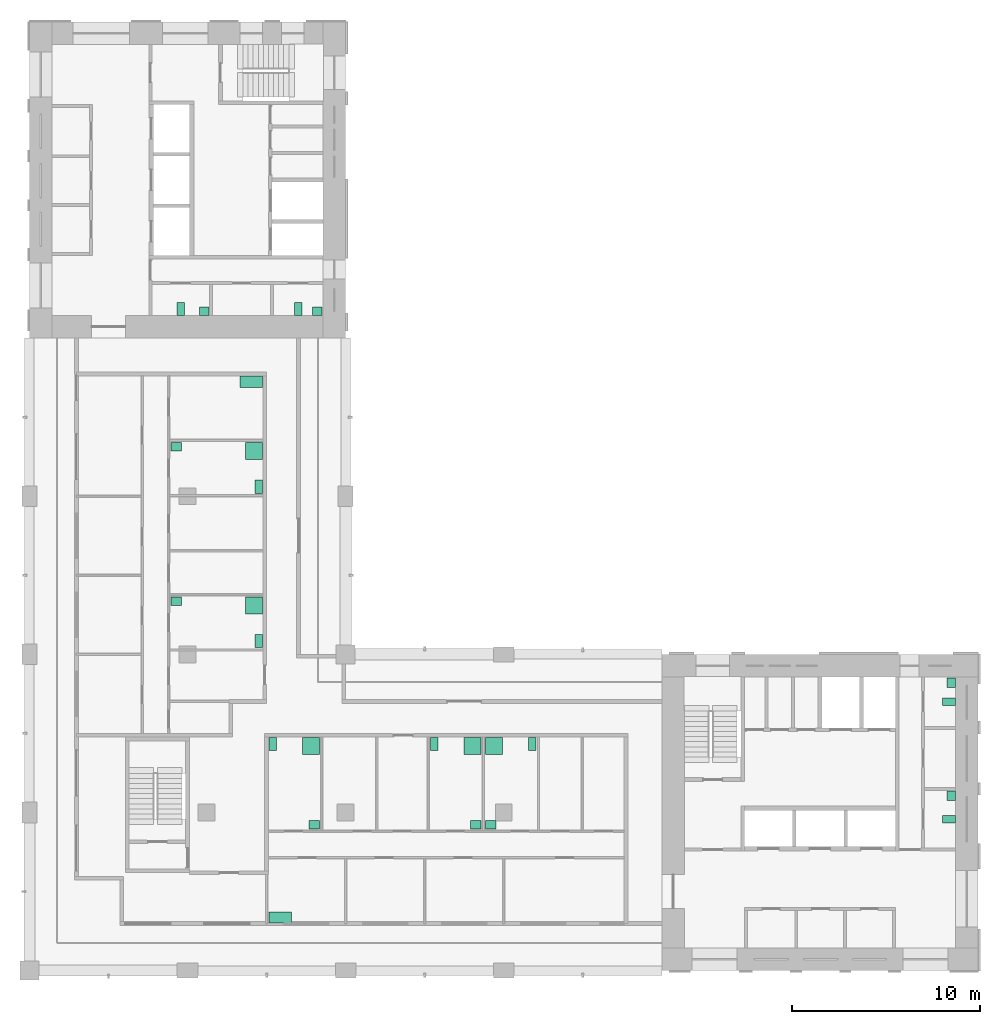
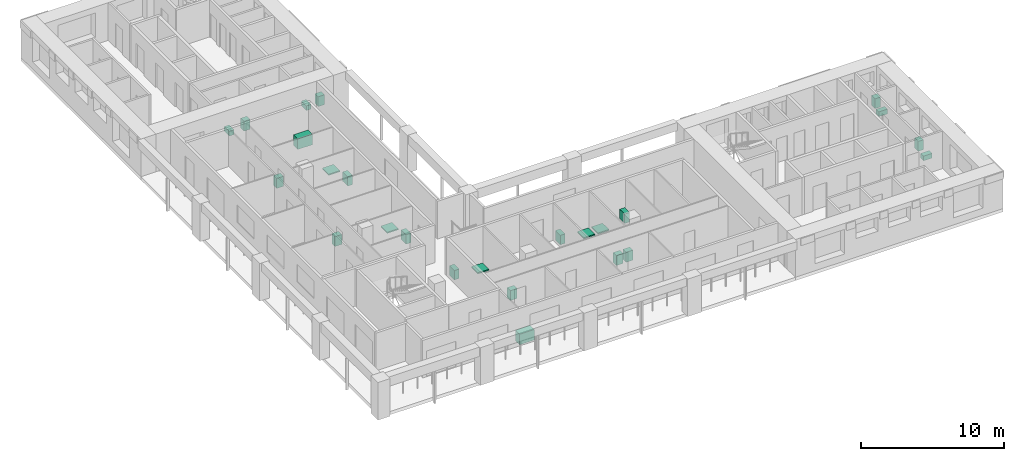
# One storey, part 10 of 10: 25 sanitary terminals.
"""IFC4 building model written with IfcOpenShell, lengths in metres."""

import ifcopenshell
import ifcopenshell.guid

model = None  # the IFC model being written
_history = None  # IfcOwnerHistory: only IFC2X3 demands one
_inside = {}  # id of a spatial element -> (the spatial element, [elements in it])
_under = {}  # id of a project, library or spatial element -> (it, [spatial elements below it])
_declared = {}  # id of a project -> (the project, [libraries it declares])
_typed = {}  # id of a type object -> (the type object, [elements of that type])
_made_of = {}  # id of a material, layer set ... -> (it, [elements and type objects made of it])


def new_model(schema):
    """Start an empty IFC model of exactly this schema.

    Asked for "IFC4X3", IfcOpenShell would pick the latest addendum, in which some entities
    have other attributes; the version numbers below select the first issue.
    IFC2X3 requires an IfcOwnerHistory on every rooted entity: one is made here for all.
    """
    global model, _history
    if schema == "IFC4X3":
        model = ifcopenshell.file(schema_version=(4, 3, 0, 0))
    else:
        model = ifcopenshell.file(schema=schema)
    _inside.clear()
    _under.clear()
    _declared.clear()
    _typed.clear()
    _made_of.clear()
    _history = None
    if model.schema == "IFC2X3":
        org = make("IfcOrganization", Name="unknown")
        user = make(
            "IfcPersonAndOrganization",
            ThePerson=make("IfcPerson", FamilyName="unknown"),
            TheOrganization=org,
        )
        app = make(
            "IfcApplication",
            ApplicationDeveloper=org,
            Version="unknown",
            ApplicationFullName="unknown",
            ApplicationIdentifier="unknown",
        )
        _history = make(
            "IfcOwnerHistory",
            OwningUser=user,
            OwningApplication=app,
            ChangeAction="ADDED",
            CreationDate=0,
        )
    return model


def make(cls, **values):
    """One entity of the class cls with the attributes given. An attribute that is None is left unset."""
    return model.create_entity(
        cls, **{name: value for name, value in values.items() if value is not None}
    )


def rooted(cls, **values):
    """An entity with a GlobalId (a new one), such as an element, a storey or a relation."""
    return make(cls, GlobalId=ifcopenshell.guid.new(), OwnerHistory=_history, **values)


def si_unit(unit_type, name, prefix=None):
    """IfcSIUnit, for example si_unit("LENGTHUNIT", "METRE", prefix="MILLI")."""
    return make("IfcSIUnit", UnitType=unit_type, Prefix=prefix, Name=name)


def assignment(units):
    """IfcUnitAssignment: the units of a project."""
    return None if units is None else make("IfcUnitAssignment", Units=units)


def point(xyz):
    """IfcCartesianPoint."""
    return None if xyz is None else make("IfcCartesianPoint", Coordinates=xyz)


def direction(xyz):
    """IfcDirection."""
    return None if xyz is None else make("IfcDirection", DirectionRatios=xyz)


def frame(location, z_axis=None, x_axis=None):
    """IfcAxis2Placement3D, a coordinate frame: its origin and axes. An axis left out is left unset."""
    return make(
        "IfcAxis2Placement3D",
        Location=point(location),
        Axis=direction(z_axis),
        RefDirection=direction(x_axis),
    )


def frame_2d(location, x_axis=None):
    """IfcAxis2Placement2D, a coordinate frame in the plane: its origin and x axis."""
    return make(
        "IfcAxis2Placement2D", Location=point(location), RefDirection=direction(x_axis)
    )


def origin():
    """The frame at (0, 0, 0) with its axes left unset."""
    return frame((0.0, 0.0, 0.0))


def origin_2d():
    """The frame at (0, 0) in the plane with its x axis left unset."""
    return frame_2d((0.0, 0.0))


def place(relative_to, where):
    """IfcLocalPlacement: puts the frame where relative to a parent placement (None: the world)."""
    return make(
        "IfcLocalPlacement", PlacementRelTo=relative_to, RelativePlacement=where
    )


def context(
    kind, dimensions, precision=None, world=None, true_north=None, identifier=None
):
    """IfcGeometricRepresentationContext, for example the 3D "Model" context."""
    return make(
        "IfcGeometricRepresentationContext",
        ContextIdentifier=identifier,
        ContextType=kind,
        CoordinateSpaceDimension=dimensions,
        Precision=precision,
        WorldCoordinateSystem=world,
        TrueNorth=true_north,
    )


def subcontext(parent, identifier, kind, view, scale=None):
    """IfcGeometricRepresentationSubContext, for example "Body" below "Model"."""
    return make(
        "IfcGeometricRepresentationSubContext",
        ContextIdentifier=identifier,
        ContextType=kind,
        ParentContext=parent,
        TargetScale=scale,
        TargetView=view,
    )


def project(units=None, contexts=None):
    """IfcProject with its units and contexts."""
    return rooted(
        "IfcProject",
        Name="project",
        RepresentationContexts=contexts,
        UnitsInContext=assignment(units),
    )


def spatial(cls, under=None, at=None, **own):
    """A site, building, storey or space (cls), placed at a placement, below another one or the project."""
    s = rooted(cls, ObjectPlacement=at, **own)
    if under is not None:
        _under.setdefault(under.id(), (under, []))[1].append(s)
    return s


def profile(cls, at=None, kind="AREA", **sizes):
    """A parametric profile (cls). Its sizes go by their IFC names, for example OverallWidth=200.0."""
    return make(cls, ProfileType=kind, Position=at, **sizes)


def rectangle(**sizes):
    """IfcRectangleProfileDef."""
    return profile("IfcRectangleProfileDef", **sizes)


def extrude(swept, where, along, depth):
    """IfcExtrudedAreaSolid: the profile swept, set in the frame where, extruded along a direction by depth."""
    return make(
        "IfcExtrudedAreaSolid",
        SweptArea=swept,
        Position=where,
        ExtrudedDirection=direction(along),
        Depth=depth,
    )


def shape(context_of_items, identifier, shape_type, items):
    """IfcShapeRepresentation: the items that make up one representation, for example the "Body"."""
    return make(
        "IfcShapeRepresentation",
        ContextOfItems=context_of_items,
        RepresentationIdentifier=identifier,
        RepresentationType=shape_type,
        Items=items,
    )


def material(Name=None, Category=None):
    """IfcMaterial."""
    return make("IfcMaterial", Name=Name, Category=Category)


def made_of(thing, what):
    """Note that an element or type object is made of a material, layer set ...; save() writes the relation."""
    if what is not None:
        _made_of.setdefault(what.id(), (what, []))[1].append(thing)
    return thing


def element(
    cls,
    number,
    at=None,
    inside=None,
    cuts=None,
    type_object=None,
    material=None,
    context=None,
    identifier="Body",
    shape_type=None,
    held_by="IfcProductDefinitionShape",
    body=None,
    shapes=None,
    **own,
):
    """One element of the class cls, such as IfcWall. Its Tag is "e" and its number.

    at: its placement. inside: the storey or other place that contains it. cuts: it is an
    opening in that element (IfcRelVoidsElement). A single representation is given by context,
    identifier, shape_type and body (its items); several are given by shapes. held_by: the class
    of the entity that holds the representations. save() writes the other relations.
    """
    e = rooted(cls, Tag="e%d" % number, ObjectPlacement=at, **own)
    if body is not None:
        shapes = [shape(context, identifier, shape_type, body)]
    if shapes is not None:
        e.Representation = make(held_by, Representations=shapes)
    if inside is not None:
        _inside.setdefault(inside.id(), (inside, []))[1].append(e)
    if cuts is not None:
        rooted(
            "IfcRelVoidsElement", RelatingBuildingElement=cuts, RelatedOpeningElement=e
        )
    if type_object is not None:
        _typed.setdefault(type_object.id(), (type_object, []))[1].append(e)
    return made_of(e, material)


def aggregate(whole, parts):
    """IfcRelAggregates: a whole, such as a stair, and the parts it consists of."""
    return rooted("IfcRelAggregates", RelatingObject=whole, RelatedObjects=parts)


def save(model, path):
    """Write the relations noted so far, then the file.

    IfcRelAggregates (storeys below a building ...), IfcRelContainedInSpatialStructure (elements
    in a storey), IfcRelDefinesByType, IfcRelAssociatesMaterial and IfcRelDeclares: one each for
    every whole, place, type object, material and project.
    """
    for whole, parts in _under.values():
        aggregate(whole, parts)
    for where, things in _inside.values():
        rooted(
            "IfcRelContainedInSpatialStructure",
            RelatedElements=things,
            RelatingStructure=where,
        )
    for kind, things in _typed.values():
        rooted("IfcRelDefinesByType", RelatedObjects=things, RelatingType=kind)
    for what, things in _made_of.values():
        rooted("IfcRelAssociatesMaterial", RelatedObjects=things, RelatingMaterial=what)
    for by, libraries in _declared.values():
        rooted("IfcRelDeclares", RelatingContext=by, RelatedDefinitions=libraries)
    model.write(path)


model = new_model("IFC4")

# Units and contexts
model_context = context("Model", 3, precision=1e-05, world=origin(), true_north=direction((0.0, 1.0)))
body_context = subcontext(model_context, "Body", "Model", "MODEL_VIEW")
ifc_project = project(units=[si_unit("LENGTHUNIT", "METRE"), si_unit("AREAUNIT", "SQUARE_METRE"), si_unit("VOLUMEUNIT", "CUBIC_METRE"), si_unit("PLANEANGLEUNIT", "RADIAN"), si_unit("MASSUNIT", "GRAM", prefix="KILO")], contexts=[model_context])

# Site, building, storey
site_placement = place(None, origin())
site = spatial("IfcSite", under=ifc_project, at=site_placement, CompositionType="ELEMENT")
building_placement = place(site_placement, origin())
building = spatial("IfcBuilding", under=site, at=building_placement, Name="Vermilion Gate Residences", CompositionType="ELEMENT")
storey_placement = place(building_placement, frame((0.0, 0.0, 266.699951171875)))
storey = spatial("IfcBuildingStorey", under=building, at=storey_placement, Name="L70", CompositionType="ELEMENT", Elevation=266.699951171875)

# Sanitary terminals
ifc_material_1 = material(Name="Vitreous china")
sanitary_terminal_1_placement = place(storey_placement, frame((57.25, 16.43994140625, 0.0), z_axis=(0.0, 0.0, 1.0), x_axis=(1.0, 0.0, 0.0)))
element("IfcSanitaryTerminal", 1, at=sanitary_terminal_1_placement, inside=storey, material=ifc_material_1, Name="Toilet pan A70", PredefinedType="TOILETPAN", context=body_context, shape_type="SweptSolid", body=[
    extrude(rectangle(XDim=0.699951171875, YDim=0.39990234375, at=origin_2d()), origin(), (0.0, 0.0, 1.0), 0.39990234375),
])
sanitary_terminal_2_placement = place(storey_placement, frame((57.375, 17.679931640625, 0.0), z_axis=(0.0, 0.0, 1.0), x_axis=(1.0, 0.0, 0.0)))
element("IfcSanitaryTerminal", 2, at=sanitary_terminal_2_placement, inside=storey, material=ifc_material_1, Name="Washbasin A70", PredefinedType="WASHHANDBASIN", context=body_context, shape_type="SweptSolid", body=[
    extrude(rectangle(XDim=0.449951171875, YDim=0.5, at=origin_2d()), origin(), (0.0, 0.0, 1.0), 0.85009765625),
])
sanitary_terminal_3_placement = place(storey_placement, frame((57.25, 22.679931640625, 0.0), z_axis=(0.0, 0.0, 1.0), x_axis=(1.0, 0.0, 0.0)))
element("IfcSanitaryTerminal", 3, at=sanitary_terminal_3_placement, inside=storey, material=ifc_material_1, Name="Toilet pan A70", PredefinedType="TOILETPAN", context=body_context, shape_type="SweptSolid", body=[
    extrude(rectangle(XDim=0.699951171875, YDim=0.39990234375, at=origin_2d()), origin(), (0.0, 0.0, 1.0), 0.39990234375),
])
sanitary_terminal_4_placement = place(storey_placement, frame((57.375, 23.699951171875, 0.0), z_axis=(0.0, 0.0, 1.0), x_axis=(1.0, 0.0, 0.0)))
element("IfcSanitaryTerminal", 4, at=sanitary_terminal_4_placement, inside=storey, material=ifc_material_1, Name="Washbasin A70", PredefinedType="WASHHANDBASIN", context=body_context, shape_type="SweptSolid", body=[
    extrude(rectangle(XDim=0.449951171875, YDim=0.5, at=origin_2d()), origin(), (0.0, 0.0, 1.0), 0.85009765625),
])
sanitary_terminal_5_placement = place(storey_placement, frame((16.43994140625, 43.550048828125, 0.0), z_axis=(0.0, 0.0, 1.0), x_axis=(1.0, 0.0, 0.0)))
element("IfcSanitaryTerminal", 5, at=sanitary_terminal_5_placement, inside=storey, material=ifc_material_1, Name="Toilet pan B70", PredefinedType="TOILETPAN", context=body_context, shape_type="SweptSolid", body=[
    extrude(rectangle(XDim=0.39990234375, YDim=0.699951171875, at=origin_2d()), origin(), (0.0, 0.0, 1.0), 0.39990234375),
])
sanitary_terminal_6_placement = place(storey_placement, frame((17.679931640625, 43.425048828125, 0.0), z_axis=(0.0, 0.0, 1.0), x_axis=(1.0, 0.0, 0.0)))
element("IfcSanitaryTerminal", 6, at=sanitary_terminal_6_placement, inside=storey, material=ifc_material_1, Name="Washbasin B70", PredefinedType="WASHHANDBASIN", context=body_context, shape_type="SweptSolid", body=[
    extrude(rectangle(XDim=0.5, YDim=0.449951171875, at=origin_2d()), origin(), (0.0, 0.0, 1.0), 0.85009765625),
])
sanitary_terminal_7_placement = place(storey_placement, frame((22.679931640625, 43.550048828125, 0.0), z_axis=(0.0, 0.0, 1.0), x_axis=(1.0, 0.0, 0.0)))
element("IfcSanitaryTerminal", 7, at=sanitary_terminal_7_placement, inside=storey, material=ifc_material_1, Name="Toilet pan B70", PredefinedType="TOILETPAN", context=body_context, shape_type="SweptSolid", body=[
    extrude(rectangle(XDim=0.39990234375, YDim=0.699951171875, at=origin_2d()), origin(), (0.0, 0.0, 1.0), 0.39990234375),
])
sanitary_terminal_8_placement = place(storey_placement, frame((23.699951171875, 43.425048828125, 0.0), z_axis=(0.0, 0.0, 1.0), x_axis=(1.0, 0.0, 0.0)))
element("IfcSanitaryTerminal", 8, at=sanitary_terminal_8_placement, inside=storey, material=ifc_material_1, Name="Washbasin B70", PredefinedType="WASHHANDBASIN", context=body_context, shape_type="SweptSolid", body=[
    extrude(rectangle(XDim=0.5, YDim=0.449951171875, at=origin_2d()), origin(), (0.0, 0.0, 1.0), 0.85009765625),
])
ifc_material_2 = material(Name="Stainless steel", Category="steel")
sanitary_terminal_9_placement = place(storey_placement, frame((21.719970703125, 11.219970703125, 0.0), z_axis=(0.0, 0.0, 1.0), x_axis=(1.0, 0.0, 0.0)))
element("IfcSanitaryTerminal", 9, at=sanitary_terminal_9_placement, inside=storey, material=ifc_material_2, Name="Kitchen sink", PredefinedType="SINK", context=body_context, shape_type="SweptSolid", body=[
    extrude(rectangle(XDim=1.199951171875, YDim=0.60009765625, at=origin_2d()), origin(), (0.0, 0.0, 1.0), 0.89990234375),
])
sanitary_terminal_10_placement = place(storey_placement, frame((23.35888671875, 20.330078125, 0.0), z_axis=(0.0, 0.0, 1.0), x_axis=(1.0, 0.0, 0.0)))
element("IfcSanitaryTerminal", 10, at=sanitary_terminal_10_placement, inside=storey, material=ifc_material_1, Name="Shower tray", PredefinedType="SHOWER", context=body_context, shape_type="SweptSolid", body=[
    extrude(rectangle(XDim=0.89990234375, YDim=0.89990234375, at=origin_2d()), origin(), (0.0, 0.0, 1.0), 0.10009765625),
])
sanitary_terminal_11_placement = place(storey_placement, frame((21.320068359375, 20.429931640625, 0.0), z_axis=(0.0, 0.0, 1.0), x_axis=(1.0, 0.0, 0.0)))
element("IfcSanitaryTerminal", 11, at=sanitary_terminal_11_placement, inside=storey, material=ifc_material_1, Name="Toilet", PredefinedType="TOILETPAN", context=body_context, shape_type="SweptSolid", body=[
    extrude(rectangle(XDim=0.39990234375, YDim=0.699951171875, at=origin_2d()), origin(), (0.0, 0.0, 1.0), 0.800048828125),
])
sanitary_terminal_12_placement = place(storey_placement, frame((23.533935546875, 16.14501953125, 0.0), z_axis=(0.0, 0.0, 1.0), x_axis=(1.0, 0.0, 0.0)))
element("IfcSanitaryTerminal", 12, at=sanitary_terminal_12_placement, inside=storey, material=ifc_material_1, Name="Wash basin", PredefinedType="WASHHANDBASIN", context=body_context, shape_type="SweptSolid", body=[
    extrude(rectangle(XDim=0.550048828125, YDim=0.449951171875, at=origin_2d()), origin(), (0.0, 0.0, 1.0), 0.85009765625),
])
sanitary_terminal_13_placement = place(storey_placement, frame((31.944091796875, 20.330078125, 0.0), z_axis=(0.0, 0.0, 1.0), x_axis=(1.0, 0.0, 0.0)))
element("IfcSanitaryTerminal", 13, at=sanitary_terminal_13_placement, inside=storey, material=ifc_material_1, Name="Shower tray", PredefinedType="SHOWER", context=body_context, shape_type="SweptSolid", body=[
    extrude(rectangle(XDim=0.89990234375, YDim=0.89990234375, at=origin_2d()), origin(), (0.0, 0.0, 1.0), 0.10009765625),
])
sanitary_terminal_14_placement = place(storey_placement, frame((29.906005859375, 20.429931640625, 0.0), z_axis=(0.0, 0.0, 1.0), x_axis=(1.0, 0.0, 0.0)))
element("IfcSanitaryTerminal", 14, at=sanitary_terminal_14_placement, inside=storey, material=ifc_material_1, Name="Toilet", PredefinedType="TOILETPAN", context=body_context, shape_type="SweptSolid", body=[
    extrude(rectangle(XDim=0.39990234375, YDim=0.699951171875, at=origin_2d()), origin(), (0.0, 0.0, 1.0), 0.800048828125),
])
sanitary_terminal_15_placement = place(storey_placement, frame((32.118896484375, 16.14501953125, 0.0), z_axis=(0.0, 0.0, 1.0), x_axis=(1.0, 0.0, 0.0)))
element("IfcSanitaryTerminal", 15, at=sanitary_terminal_15_placement, inside=storey, material=ifc_material_1, Name="Wash basin", PredefinedType="WASHHANDBASIN", context=body_context, shape_type="SweptSolid", body=[
    extrude(rectangle(XDim=0.550048828125, YDim=0.449951171875, at=origin_2d()), origin(), (0.0, 0.0, 1.0), 0.85009765625),
])
sanitary_terminal_16_placement = place(storey_placement, frame((33.083984375, 20.330078125, 0.0), z_axis=(0.0, 0.0, 1.0), x_axis=(1.0, 0.0, 0.0)))
element("IfcSanitaryTerminal", 16, at=sanitary_terminal_16_placement, inside=storey, material=ifc_material_1, Name="Shower tray", PredefinedType="SHOWER", context=body_context, shape_type="SweptSolid", body=[
    extrude(rectangle(XDim=0.89990234375, YDim=0.89990234375, at=origin_2d()), origin(), (0.0, 0.0, 1.0), 0.10009765625),
])
sanitary_terminal_17_placement = place(storey_placement, frame((35.123046875, 20.429931640625, 0.0), z_axis=(0.0, 0.0, 1.0), x_axis=(1.0, 0.0, 0.0)))
element("IfcSanitaryTerminal", 17, at=sanitary_terminal_17_placement, inside=storey, material=ifc_material_1, Name="Toilet", PredefinedType="TOILETPAN", context=body_context, shape_type="SweptSolid", body=[
    extrude(rectangle(XDim=0.39990234375, YDim=0.699951171875, at=origin_2d()), origin(), (0.0, 0.0, 1.0), 0.800048828125),
])
sanitary_terminal_18_placement = place(storey_placement, frame((32.908935546875, 16.14501953125, 0.0), z_axis=(0.0, 0.0, 1.0), x_axis=(1.0, 0.0, 0.0)))
element("IfcSanitaryTerminal", 18, at=sanitary_terminal_18_placement, inside=storey, material=ifc_material_1, Name="Wash basin", PredefinedType="WASHHANDBASIN", context=body_context, shape_type="SweptSolid", body=[
    extrude(rectangle(XDim=0.550048828125, YDim=0.449951171875, at=origin_2d()), origin(), (0.0, 0.0, 1.0), 0.85009765625),
])
sanitary_terminal_19_placement = place(storey_placement, frame((20.330078125, 27.797119140625, 0.0), z_axis=(0.0, 0.0, 1.0), x_axis=(1.0, 0.0, 0.0)))
element("IfcSanitaryTerminal", 19, at=sanitary_terminal_19_placement, inside=storey, material=ifc_material_1, Name="Shower tray", PredefinedType="SHOWER", context=body_context, shape_type="SweptSolid", body=[
    extrude(rectangle(XDim=0.89990234375, YDim=0.89990234375, at=origin_2d()), origin(), (0.0, 0.0, 1.0), 0.10009765625),
])
sanitary_terminal_20_placement = place(storey_placement, frame((20.580078125, 25.903076171875, 0.0), z_axis=(0.0, 0.0, 1.0), x_axis=(1.0, 0.0, 0.0)))
element("IfcSanitaryTerminal", 20, at=sanitary_terminal_20_placement, inside=storey, material=ifc_material_1, Name="Toilet", PredefinedType="TOILETPAN", context=body_context, shape_type="SweptSolid", body=[
    extrude(rectangle(XDim=0.39990234375, YDim=0.699951171875, at=origin_2d()), origin(), (0.0, 0.0, 1.0), 0.800048828125),
])
sanitary_terminal_21_placement = place(storey_placement, frame((16.195068359375, 28.02197265625, 0.0), z_axis=(0.0, 0.0, 1.0), x_axis=(1.0, 0.0, 0.0)))
element("IfcSanitaryTerminal", 21, at=sanitary_terminal_21_placement, inside=storey, material=ifc_material_1, Name="Wash basin", PredefinedType="WASHHANDBASIN", context=body_context, shape_type="SweptSolid", body=[
    extrude(rectangle(XDim=0.550048828125, YDim=0.449951171875, at=origin_2d()), origin(), (0.0, 0.0, 1.0), 0.85009765625),
])
sanitary_terminal_22_placement = place(storey_placement, frame((20.330078125, 35.9970703125, 0.0), z_axis=(0.0, 0.0, 1.0), x_axis=(1.0, 0.0, 0.0)))
element("IfcSanitaryTerminal", 22, at=sanitary_terminal_22_placement, inside=storey, material=ifc_material_1, Name="Shower tray", PredefinedType="SHOWER", context=body_context, shape_type="SweptSolid", body=[
    extrude(rectangle(XDim=0.89990234375, YDim=0.89990234375, at=origin_2d()), origin(), (0.0, 0.0, 1.0), 0.10009765625),
])
sanitary_terminal_23_placement = place(storey_placement, frame((20.580078125, 34.10302734375, 0.0), z_axis=(0.0, 0.0, 1.0), x_axis=(1.0, 0.0, 0.0)))
element("IfcSanitaryTerminal", 23, at=sanitary_terminal_23_placement, inside=storey, material=ifc_material_1, Name="Toilet", PredefinedType="TOILETPAN", context=body_context, shape_type="SweptSolid", body=[
    extrude(rectangle(XDim=0.39990234375, YDim=0.699951171875, at=origin_2d()), origin(), (0.0, 0.0, 1.0), 0.800048828125),
])
sanitary_terminal_24_placement = place(storey_placement, frame((16.195068359375, 36.221923828125, 0.0), z_axis=(0.0, 0.0, 1.0), x_axis=(1.0, 0.0, 0.0)))
element("IfcSanitaryTerminal", 24, at=sanitary_terminal_24_placement, inside=storey, material=ifc_material_1, Name="Wash basin", PredefinedType="WASHHANDBASIN", context=body_context, shape_type="SweptSolid", body=[
    extrude(rectangle(XDim=0.550048828125, YDim=0.449951171875, at=origin_2d()), origin(), (0.0, 0.0, 1.0), 0.85009765625),
])
sanitary_terminal_25_placement = place(storey_placement, frame((20.179931640625, 39.679931640625, 0.0), z_axis=(0.0, 0.0, 1.0), x_axis=(1.0, 0.0, 0.0)))
element("IfcSanitaryTerminal", 25, at=sanitary_terminal_25_placement, inside=storey, material=ifc_material_2, Name="Kitchen sink", PredefinedType="SINK", context=body_context, shape_type="SweptSolid", body=[
    extrude(rectangle(XDim=1.199951171875, YDim=0.60009765625, at=origin_2d()), origin(), (0.0, 0.0, 1.0), 0.89990234375),
])

save(model, "model.ifc")
